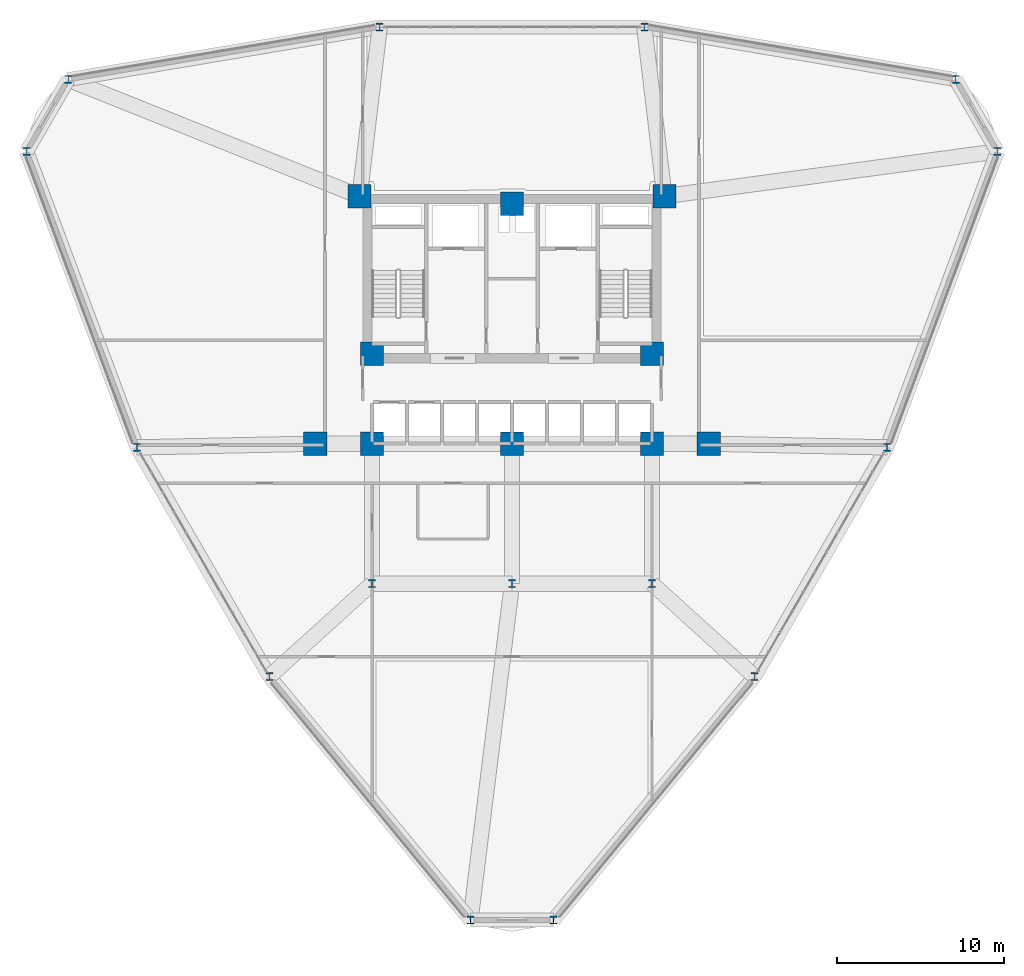
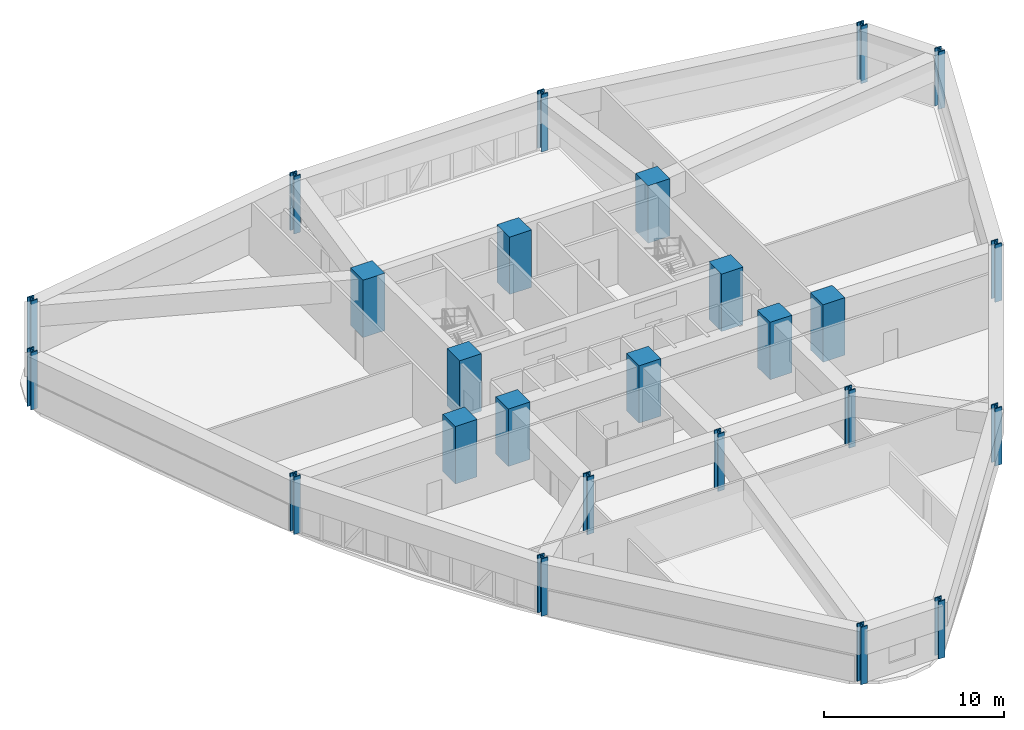
# One storey, part 1 of 20: 25 columns.
"""IFC4 building model written with IfcOpenShell, lengths in metres."""

from ifc_helpers import new_model, si_unit, derived_unit, direction, frame, origin, origin_2d, place, context, subcontext, project, spatial, rectangle, i_section, extrude, source, transform, mapped, material, material_profile, profile_set, type_object, element, save


model = new_model("IFC4")

# Units and contexts
model_context = context("Model", 3, precision=1e-05, world=origin(), true_north=direction((0.0, 1.0)))
body_context = subcontext(model_context, "Body", "Model", "MODEL_VIEW")
ifc_project = project(units=[si_unit("LENGTHUNIT", "METRE"), si_unit("AREAUNIT", "SQUARE_METRE"), si_unit("VOLUMEUNIT", "CUBIC_METRE"), si_unit("PLANEANGLEUNIT", "RADIAN"), si_unit("MASSUNIT", "GRAM", prefix="KILO"), derived_unit("THERMALTRANSMITTANCEUNIT", [(si_unit("POWERUNIT", "WATT"), 1), (si_unit("LENGTHUNIT", "METRE"), -2), (si_unit("THERMODYNAMICTEMPERATUREUNIT", "KELVIN"), -1)])], contexts=[model_context])

# Site, building, storey
site_placement = place(None, origin())
site = spatial("IfcSite", under=ifc_project, at=site_placement, CompositionType="ELEMENT")
building_placement = place(site_placement, origin())
building = spatial("IfcBuilding", under=site, at=building_placement, Name="Korsvarv Bourse and Concert Hall", CompositionType="ELEMENT")
storey_placement = place(building_placement, frame((0.0, 0.0, 35.699951171875)))
storey = spatial("IfcBuildingStorey", under=building, at=storey_placement, Name="L08", CompositionType="ELEMENT", Elevation=35.699951171875)

# Columns
ifc_material_1 = material(Name="Concrete C60/75", Category="concrete")
ifc_material_profile_1 = material_profile(ifc_material_1, rectangle(XDim=1.39990234375, YDim=1.39990234375, at=origin_2d()), Name="RC 1400x1400")
ifc_profile_set_1 = profile_set([ifc_material_profile_1], Name="Concrete C60/75")
column_type_1 = type_object("IfcColumnType", Name="COL-RC1400", PredefinedType="COLUMN", material=ifc_profile_set_1)
shared_shape_1 = source(origin(), body_context, "Body", "SweptSolid", [
    extrude(rectangle(XDim=1.39990234375, YDim=1.39990234375, at=origin_2d()), origin(), (0.0, 0.0, 1.0), 3.900146484375),
])
for number, where, z_axis, x_axis, name in (
    (1, (26.85009765625, 47.25, 0.0), (0.0, 0.0, 1.0), (1.0, 0.0, 0.0), "L08 column C-01"),
    (2, (45.14990234375, 47.25, 0.0), (0.0, 0.0, 1.0), (1.0, 0.0, 0.0), "L08 column C-01"),
    (3, (27.60009765625, 37.800048828125, 0.0), (0.0, 0.0, 1.0), (1.0, 0.0, 0.0), "L08 column C-01"),
    (4, (44.39990234375, 37.800048828125, 0.0), (0.0, 0.0, 1.0), (1.0, 0.0, 0.0), "L08 column C-01"),
    (5, (27.60009765625, 32.39990234375, 0.0), (0.0, 0.0, 1.0), (1.0, 0.0, 0.0), "L08 column C-01"),
    (6, (44.39990234375, 32.39990234375, 0.0), (0.0, 0.0, 1.0), (1.0, 0.0, 0.0), "L08 column C-01"),
    (7, (36.0, 46.800048828125, 0.0), (0.0, 0.0, 1.0), (1.0, 0.0, 0.0), "L08 column C-01"),
    (8, (36.0, 32.39990234375, 0.0), (0.0, 0.0, 1.0), (1.0, 0.0, 0.0), "L08 column C-01"),
    (9, (24.199951171875, 32.39990234375, 0.0), (0.0, 0.0, 1.0), (1.0, 0.0, 0.0), "L08 column C-01"),
    (10, (47.800048828125, 32.39990234375, 0.0), (0.0, 0.0, 1.0), (1.0, 0.0, 0.0), "L08 column C-01"),
):
    element("IfcColumn", number, at=place(storey_placement, frame(where, z_axis=z_axis, x_axis=x_axis)), inside=storey, type_object=column_type_1, Name=name, PredefinedType="COLUMN", context=body_context, shape_type="MappedRepresentation", body=[
        mapped(shared_shape_1, transform((0.0, 0.0, 0.0), scale=1.0)),
    ])
ifc_material_2 = material(Name="Steel S460", Category="steel")
ifc_material_profile_2 = material_profile(ifc_material_2, i_section(OverallWidth=0.424072265625, OverallDepth=0.47412109375, WebThickness=0.044921875, FlangeThickness=0.072021484375, FilletRadius=0.014892578125, at=origin_2d()), Name="HD 400x634")
ifc_profile_set_2 = profile_set([ifc_material_profile_2], Name="Steel S460")
column_type_2 = type_object("IfcColumnType", Name="COL-HD634", PredefinedType="COLUMN", material=ifc_profile_set_2)
shared_shape_2 = source(origin(), body_context, "Body", "SweptSolid", [
    extrude(i_section(OverallWidth=0.424072265625, OverallDepth=0.47412109375, WebThickness=0.044921875, FlangeThickness=0.072021484375, FilletRadius=0.014892578125, at=origin_2d()), origin(), (0.0, 0.0, 1.0), 3.900146484375),
])
for number, where, z_axis, x_axis, name in (
    (11, (27.60009765625, 24.0, 0.0), (0.0, 0.0, 1.0), (1.0, 0.0, 0.0), "L08 column C-07"),
    (12, (44.39990234375, 24.0, 0.0), (0.0, 0.0, 1.0), (1.0, 0.0, 0.0), "L08 column C-07"),
    (13, (36.0, 24.0, 0.0), (0.0, 0.0, 1.0), (1.0, 0.0, 0.0), "L08 column C-07"),
    (14, (65.1298828125, 49.939697265625, 0.0), (0.0, 0.0, 1.0), (1.0, 0.0, 0.0), "L08 column C-07"),
    (15, (62.63720703125, 54.25732421875, 0.0), (0.0, 0.0, 1.0), (1.0, 0.0, 0.0), "L08 column C-07"),
    (16, (43.941162109375, 57.401611328125, 0.0), (0.0, 0.0, 1.0), (1.0, 0.0, 0.0), "L08 column C-07"),
    (17, (28.058837890625, 57.401611328125, 0.0), (0.0, 0.0, 1.0), (1.0, 0.0, 0.0), "L08 column C-07"),
    (18, (9.36279296875, 54.25732421875, 0.0), (0.0, 0.0, 1.0), (1.0, 0.0, 0.0), "L08 column C-07"),
    (19, (6.8701171875, 49.939697265625, 0.0), (0.0, 0.0, 1.0), (1.0, 0.0, 0.0), "L08 column C-07"),
    (20, (13.4951171875, 32.176513671875, 0.0), (0.0, 0.0, 1.0), (1.0, 0.0, 0.0), "L08 column C-07"),
    (21, (21.436279296875, 18.422119140625, 0.0), (0.0, 0.0, 1.0), (1.0, 0.0, 0.0), "L08 column C-07"),
    (22, (33.507080078125, 3.802978515625, 0.0), (0.0, 0.0, 1.0), (1.0, 0.0, 0.0), "L08 column C-07"),
    (23, (38.492919921875, 3.802978515625, 0.0), (0.0, 0.0, 1.0), (1.0, 0.0, 0.0), "L08 column C-07"),
    (24, (50.563720703125, 18.422119140625, 0.0), (0.0, 0.0, 1.0), (1.0, 0.0, 0.0), "L08 column C-07"),
    (25, (58.5048828125, 32.176513671875, 0.0), (0.0, 0.0, 1.0), (1.0, 0.0, 0.0), "L08 column C-07"),
):
    element("IfcColumn", number, at=place(storey_placement, frame(where, z_axis=z_axis, x_axis=x_axis)), inside=storey, type_object=column_type_2, Name=name, PredefinedType="COLUMN", context=body_context, shape_type="MappedRepresentation", body=[
        mapped(shared_shape_2, transform((0.0, 0.0, 0.0), scale=1.0)),
    ])

save(model, "model.ifc")
